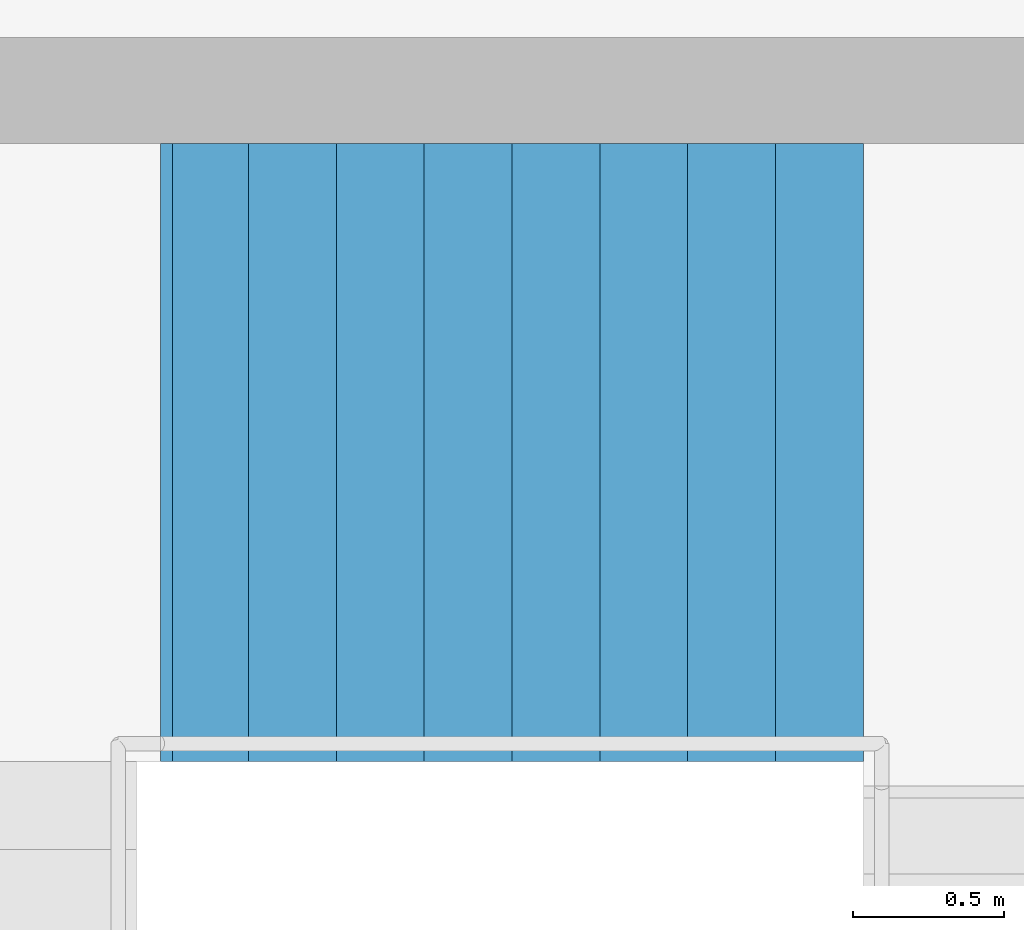
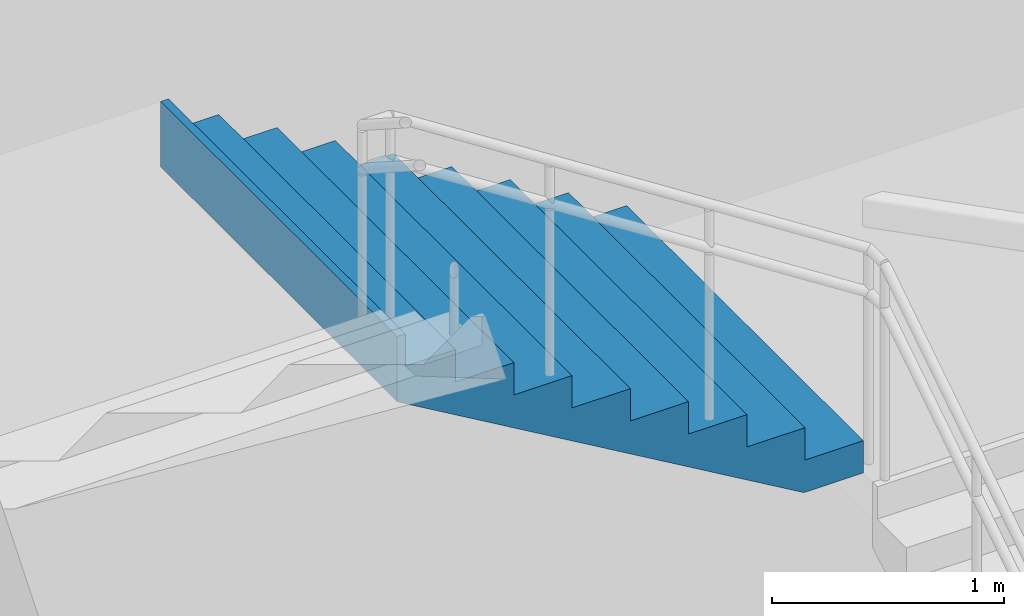
# One storey, part 53 of 58: 1 stair flight, 1 element without a shape of its own.
"""IFC4 building model written with IfcOpenShell, lengths in metres."""

from ifc_helpers import new_model, si_unit, direction, frame, origin, place, context, subcontext, project, spatial, triangles, material, type_object, element, aggregate, save


model = new_model("IFC4")

# Units and contexts
model_context = context("Model", 3, precision=1e-05, world=origin(), true_north=direction((0.0, 1.0)))
body_context = subcontext(model_context, "Body", "Model", "MODEL_VIEW")
ifc_project = project(units=[si_unit("LENGTHUNIT", "METRE"), si_unit("AREAUNIT", "SQUARE_METRE"), si_unit("VOLUMEUNIT", "CUBIC_METRE"), si_unit("PLANEANGLEUNIT", "RADIAN"), si_unit("MASSUNIT", "GRAM", prefix="KILO")], contexts=[model_context])

# Site, building, storey
site_placement = place(None, origin())
site = spatial("IfcSite", under=ifc_project, at=site_placement, CompositionType="ELEMENT")
building_placement = place(site_placement, origin())
building = spatial("IfcBuilding", under=site, at=building_placement, Name="Sillaruma Civic Art Gallery", CompositionType="ELEMENT")
storey_placement = place(building_placement, frame((0.0, 0.0, 22.43994140625)))
storey = spatial("IfcBuildingStorey", under=building, at=storey_placement, Name="L04", CompositionType="ELEMENT", Elevation=22.43994140625)

# Stair, stair flight
ifc_material = material(Name="Concrete H35 (35 MPa)", Category="concrete")
stair_type = type_object("IfcStairType", Name="STR-4F-36", PredefinedType="USERDEFINED", material=ifc_material)
stair_placement = place(storey_placement, origin())
stair = element("IfcStair", 1, at=stair_placement, inside=storey, type_object=stair_type, Name="Protected Exit Stair ST-02 (West Bar North) (L04)", ObjectType="THREE_RETURN_STAIR", PredefinedType="USERDEFINED")
stair_flight_type = type_object("IfcStairFlightType", Name="SFL-STR-9", PredefinedType="STRAIGHT", material=ifc_material)
stair_flight_placement = place(storey_placement, frame((67.199951171875, 86.3701171875, 3.06005859375), z_axis=(0.0, 0.0, 1.0), x_axis=(-1.0, 0.0, 0.0)))
stair_flight = element("IfcStairFlight", 2, at=stair_flight_placement, type_object=stair_flight_type, Name="ST-02 flight 3", NumberOfRisers=9, NumberOfTreads=8, PredefinedType="STRAIGHT", RiserHeight=0.17, TreadLength=0.29, context=body_context, shape_type="Tessellation", body=[
    triangles([(0.0, -1.02001953125, 0.0), (0.29, -1.02001953125, 0.0), (0.296482, -1.02001953125, 0.0), (0.58, -1.02001953125, 0.1662), (0.87, -1.02001953125, 0.3362), (1.16, -1.02001953125, 0.5062), (1.45, -1.02001953125, 0.6762), (1.74, -1.02001953125, 0.8462), (2.03, -1.02001953125, 1.0162), (2.280068, -1.02001953125, 1.162792), (2.320068, -1.02001953125, 1.18624), (2.320068, -1.02001953125, 1.53), (2.280068, -1.02001953125, 1.53), (2.280068, -1.02001953125, 1.36), (2.03, -1.02001953125, 1.36), (2.03, -1.02001953125, 1.19), (1.74, -1.02001953125, 1.19), (1.74, -1.02001953125, 1.02), (1.45, -1.02001953125, 1.02), (1.45, -1.02001953125, 0.85), (1.16, -1.02001953125, 0.85), (1.16, -1.02001953125, 0.68), (0.87, -1.02001953125, 0.68), (0.87, -1.02001953125, 0.51), (0.58, -1.02001953125, 0.51), (0.58, -1.02001953125, 0.34), (0.296482, -1.02001953125, 0.34), (0.29, -1.02001953125, 0.34), (0.29, -1.02001953125, 0.17), (0.0, -1.02001953125, 0.17), (0.0, -0.05, 0.0), (0.29, -0.05, 0.0), (0.296482, -0.05, 0.0), (0.58, -0.05, 0.1662), (0.87, -0.05, 0.3362), (1.16, -0.05, 0.5062), (1.45, -0.05, 0.6762), (1.74, -0.05, 0.8462), (2.03, -0.05, 1.0162), (2.280068, -0.05, 1.162792), (2.320068, -0.05, 1.18624), (2.320068, -0.05, 1.53), (2.280068, -0.05, 1.53), (2.280068, -0.05, 1.36), (2.03, -0.05, 1.36), (2.03, -0.05, 1.19), (1.74, -0.05, 1.19), (1.74, -0.05, 1.02), (1.45, -0.05, 1.02), (1.45, -0.05, 0.85), (1.16, -0.05, 0.85), (1.16, -0.05, 0.68), (0.87, -0.05, 0.68), (0.87, -0.05, 0.51), (0.58, -0.05, 0.51), (0.58, -0.05, 0.34), (0.296482, -0.05, 0.34), (0.29, -0.05, 0.34), (0.29, -0.05, 0.17), (0.0, -0.05, 0.17), (0.0, -0.0375, 0.0), (0.29, -0.0375, 0.0), (0.296482, -0.0375, 0.0), (0.58, -0.0375, 0.1662), (0.87, -0.0375, 0.3362), (1.16, -0.0375, 0.5062), (1.45, -0.0375, 0.6762), (1.74, -0.0375, 0.8462), (2.03, -0.0375, 1.0162), (2.280068, -0.0375, 1.162792), (2.320068, -0.0375, 1.18624), (2.320068, -0.0375, 1.53), (2.280068, -0.0375, 1.53), (2.280068, -0.0375, 1.36), (2.03, -0.0375, 1.36), (2.03, -0.0375, 1.19), (1.74, -0.0375, 1.19), (1.74, -0.0375, 1.02), (1.45, -0.0375, 1.02), (1.45, -0.0375, 0.85), (1.16, -0.0375, 0.85), (1.16, -0.0375, 0.68), (0.87, -0.0375, 0.68), (0.87, -0.0375, 0.51), (0.58, -0.0375, 0.51), (0.58, -0.0375, 0.34), (0.296482, -0.0375, 0.34), (0.29, -0.0375, 0.34), (0.29, -0.0375, 0.17), (0.0, -0.0375, 0.17), (0.0, -0.025, 0.0), (0.29, -0.025, 0.0), (0.296482, -0.025, 0.0), (0.58, -0.025, 0.1662), (0.87, -0.025, 0.3362), (1.16, -0.025, 0.5062), (1.45, -0.025, 0.6762), (1.74, -0.025, 0.8462), (2.03, -0.025, 1.0162), (2.280068, -0.025, 1.162792), (2.320068, -0.025, 1.18624), (2.320068, -0.025, 1.53), (2.280068, -0.025, 1.53), (2.280068, -0.025, 1.36), (2.03, -0.025, 1.36), (2.03, -0.025, 1.19), (1.74, -0.025, 1.19), (1.74, -0.025, 1.02), (1.45, -0.025, 1.02), (1.45, -0.025, 0.85), (1.16, -0.025, 0.85), (1.16, -0.025, 0.68), (0.87, -0.025, 0.68), (0.87, -0.025, 0.51), (0.58, -0.025, 0.51), (0.58, -0.025, 0.34), (0.296482, -0.025, 0.34), (0.29, -0.025, 0.34), (0.29, -0.025, 0.17), (0.0, -0.025, 0.17), (0.0, -0.0125, 0.0), (0.29, -0.0125, 0.0), (0.296482, -0.0125, 0.0), (0.58, -0.0125, 0.1662), (0.87, -0.0125, 0.3362), (1.16, -0.0125, 0.5062), (1.45, -0.0125, 0.6762), (1.74, -0.0125, 0.8462), (2.03, -0.0125, 1.0162), (2.280068, -0.0125, 1.162792), (2.320068, -0.0125, 1.18624), (2.320068, -0.0125, 1.53), (2.280068, -0.0125, 1.53), (2.280068, -0.0125, 1.36), (2.03, -0.0125, 1.36), (2.03, -0.0125, 1.19), (1.74, -0.0125, 1.19), (1.74, -0.0125, 1.02), (1.45, -0.0125, 1.02), (1.45, -0.0125, 0.85), (1.16, -0.0125, 0.85), (1.16, -0.0125, 0.68), (0.87, -0.0125, 0.68), (0.87, -0.0125, 0.51), (0.58, -0.0125, 0.51), (0.58, -0.0125, 0.34), (0.296482, -0.0125, 0.34), (0.29, -0.0125, 0.34), (0.29, -0.0125, 0.17), (0.0, -0.0125, 0.17), (0.0, 0.0, 0.0), (0.29, 0.0, 0.0), (0.296482, 0.0, 0.0), (0.58, 0.0, 0.1662), (0.87, 0.0, 0.3362), (1.16, 0.0, 0.5062), (1.45, 0.0, 0.6762), (1.74, 0.0, 0.8462), (2.03, 0.0, 1.0162), (2.280068, 0.0, 1.162792), (2.320068, 0.0, 1.18624), (2.320068, 0.0, 1.53), (2.280068, 0.0, 1.53), (2.280068, 0.0, 1.36), (2.03, 0.0, 1.36), (2.03, 0.0, 1.19), (1.74, 0.0, 1.19), (1.74, 0.0, 1.02), (1.45, 0.0, 1.02), (1.45, 0.0, 0.85), (1.16, 0.0, 0.85), (1.16, 0.0, 0.68), (0.87, 0.0, 0.68), (0.87, 0.0, 0.51), (0.58, 0.0, 0.51), (0.58, 0.0, 0.34), (0.296482, 0.0, 0.34), (0.29, 0.0, 0.34), (0.29, 0.0, 0.17), (0.0, 0.0, 0.17), (0.0, 0.0125, 0.0), (0.29, 0.0125, 0.0), (0.296482, 0.0125, 0.0), (0.58, 0.0125, 0.1662), (0.87, 0.0125, 0.3362), (1.16, 0.0125, 0.5062), (1.45, 0.0125, 0.6762), (1.74, 0.0125, 0.8462), (2.03, 0.0125, 1.0162), (2.280068, 0.0125, 1.162792), (2.320068, 0.0125, 1.18624), (2.320068, 0.0125, 1.53), (2.280068, 0.0125, 1.53), (2.280068, 0.0125, 1.36), (2.03, 0.0125, 1.36), (2.03, 0.0125, 1.19), (1.74, 0.0125, 1.19), (1.74, 0.0125, 1.02), (1.45, 0.0125, 1.02), (1.45, 0.0125, 0.85), (1.16, 0.0125, 0.85), (1.16, 0.0125, 0.68), (0.87, 0.0125, 0.68), (0.87, 0.0125, 0.51), (0.58, 0.0125, 0.51), (0.58, 0.0125, 0.34), (0.296482, 0.0125, 0.34), (0.29, 0.0125, 0.34), (0.29, 0.0125, 0.17), (0.0, 0.0125, 0.17), (0.0, 0.025, 0.0), (0.29, 0.025, 0.0), (0.296482, 0.025, 0.0), (0.58, 0.025, 0.1662), (0.87, 0.025, 0.3362), (1.16, 0.025, 0.5062), (1.45, 0.025, 0.6762), (1.74, 0.025, 0.8462), (2.03, 0.025, 1.0162), (2.280068, 0.025, 1.162792), (2.320068, 0.025, 1.18624), (2.320068, 0.025, 1.53), (2.280068, 0.025, 1.53), (2.280068, 0.025, 1.36), (2.03, 0.025, 1.36), (2.03, 0.025, 1.19), (1.74, 0.025, 1.19), (1.74, 0.025, 1.02), (1.45, 0.025, 1.02), (1.45, 0.025, 0.85), (1.16, 0.025, 0.85), (1.16, 0.025, 0.68), (0.87, 0.025, 0.68), (0.87, 0.025, 0.51), (0.58, 0.025, 0.51), (0.58, 0.025, 0.34), (0.296482, 0.025, 0.34), (0.29, 0.025, 0.34), (0.29, 0.025, 0.17), (0.0, 0.025, 0.17), (0.0, 0.0375, 0.0), (0.29, 0.0375, 0.0), (0.296482, 0.0375, 0.0), (0.58, 0.0375, 0.1662), (0.87, 0.0375, 0.3362), (1.16, 0.0375, 0.5062), (1.45, 0.0375, 0.6762), (1.74, 0.0375, 0.8462), (2.03, 0.0375, 1.0162), (2.280068, 0.0375, 1.162792), (2.320068, 0.0375, 1.18624), (2.320068, 0.0375, 1.53), (2.280068, 0.0375, 1.53), (2.280068, 0.0375, 1.36), (2.03, 0.0375, 1.36), (2.03, 0.0375, 1.19), (1.74, 0.0375, 1.19), (1.74, 0.0375, 1.02), (1.45, 0.0375, 1.02), (1.45, 0.0375, 0.85), (1.16, 0.0375, 0.85), (1.16, 0.0375, 0.68), (0.87, 0.0375, 0.68), (0.87, 0.0375, 0.51), (0.58, 0.0375, 0.51), (0.58, 0.0375, 0.34), (0.296482, 0.0375, 0.34), (0.29, 0.0375, 0.34), (0.29, 0.0375, 0.17), (0.0, 0.0375, 0.17), (0.0, 0.05, 0.0), (0.29, 0.05, 0.0), (0.296482, 0.05, 0.0), (0.58, 0.05, 0.1662), (0.87, 0.05, 0.3362), (1.16, 0.05, 0.5062), (1.45, 0.05, 0.6762), (1.74, 0.05, 0.8462), (2.03, 0.05, 1.0162), (2.280068, 0.05, 1.162792), (2.320068, 0.05, 1.18624), (2.320068, 0.05, 1.53), (2.280068, 0.05, 1.53), (2.280068, 0.05, 1.36), (2.03, 0.05, 1.36), (2.03, 0.05, 1.19), (1.74, 0.05, 1.19), (1.74, 0.05, 1.02), (1.45, 0.05, 1.02), (1.45, 0.05, 0.85), (1.16, 0.05, 0.85), (1.16, 0.05, 0.68), (0.87, 0.05, 0.68), (0.87, 0.05, 0.51), (0.58, 0.05, 0.51), (0.58, 0.05, 0.34), (0.296482, 0.05, 0.34), (0.29, 0.05, 0.34), (0.29, 0.05, 0.17), (0.0, 0.05, 0.17), (0.0, 1.02001953125, 0.0), (0.29, 1.02001953125, 0.0), (0.296482, 1.02001953125, 0.0), (0.58, 1.02001953125, 0.1662), (0.87, 1.02001953125, 0.3362), (1.16, 1.02001953125, 0.5062), (1.45, 1.02001953125, 0.6762), (1.74, 1.02001953125, 0.8462), (2.03, 1.02001953125, 1.0162), (2.280068, 1.02001953125, 1.162792), (2.320068, 1.02001953125, 1.18624), (2.320068, 1.02001953125, 1.53), (2.280068, 1.02001953125, 1.53), (2.280068, 1.02001953125, 1.36), (2.03, 1.02001953125, 1.36), (2.03, 1.02001953125, 1.19), (1.74, 1.02001953125, 1.19), (1.74, 1.02001953125, 1.02), (1.45, 1.02001953125, 1.02), (1.45, 1.02001953125, 0.85), (1.16, 1.02001953125, 0.85), (1.16, 1.02001953125, 0.68), (0.87, 1.02001953125, 0.68), (0.87, 1.02001953125, 0.51), (0.58, 1.02001953125, 0.51), (0.58, 1.02001953125, 0.34), (0.296482, 1.02001953125, 0.34), (0.29, 1.02001953125, 0.34), (0.29, 1.02001953125, 0.17), (0.0, 1.02001953125, 0.17)], [[1, 2, 29], [1, 29, 30], [2, 3, 27], [2, 27, 29], [29, 27, 28], [3, 4, 26], [3, 26, 27], [4, 5, 24], [4, 24, 26], [26, 24, 25], [5, 6, 22], [5, 22, 24], [24, 22, 23], [6, 7, 20], [6, 20, 22], [22, 20, 21], [7, 8, 18], [7, 18, 20], [20, 18, 19], [8, 9, 16], [8, 16, 18], [18, 16, 17], [9, 10, 14], [9, 14, 16], [16, 14, 15], [10, 11, 12], [10, 12, 14], [14, 12, 13], [329, 302, 301], [330, 329, 301], [327, 303, 302], [329, 327, 302], [328, 327, 329], [326, 304, 303], [327, 326, 303], [324, 305, 304], [326, 324, 304], [325, 324, 326], [322, 306, 305], [324, 322, 305], [323, 322, 324], [320, 307, 306], [322, 320, 306], [321, 320, 322], [318, 308, 307], [320, 318, 307], [319, 318, 320], [316, 309, 308], [318, 316, 308], [317, 316, 318], [314, 310, 309], [316, 314, 309], [315, 314, 316], [312, 311, 310], [314, 312, 310], [313, 312, 314], [2, 1, 31], [2, 31, 32], [3, 2, 32], [3, 32, 33], [4, 3, 33], [4, 33, 34], [5, 4, 34], [5, 34, 35], [6, 5, 35], [6, 35, 36], [7, 6, 36], [7, 36, 37], [8, 7, 37], [8, 37, 38], [9, 8, 38], [9, 38, 39], [10, 9, 39], [10, 39, 40], [11, 10, 40], [11, 40, 41], [12, 11, 41], [12, 41, 42], [13, 12, 42], [13, 42, 43], [14, 13, 43], [14, 43, 44], [15, 14, 44], [15, 44, 45], [16, 15, 45], [16, 45, 46], [17, 16, 46], [17, 46, 47], [18, 17, 47], [18, 47, 48], [19, 18, 48], [19, 48, 49], [20, 19, 49], [20, 49, 50], [21, 20, 50], [21, 50, 51], [22, 21, 51], [22, 51, 52], [23, 22, 52], [23, 52, 53], [24, 23, 53], [24, 53, 54], [25, 24, 54], [25, 54, 55], [26, 25, 55], [26, 55, 56], [27, 26, 56], [27, 56, 57], [28, 27, 57], [28, 57, 58], [29, 28, 58], [29, 58, 59], [30, 29, 59], [30, 59, 60], [1, 30, 60], [1, 60, 31], [32, 31, 61], [32, 61, 62], [33, 32, 62], [33, 62, 63], [34, 33, 63], [34, 63, 64], [35, 34, 64], [35, 64, 65], [36, 35, 65], [36, 65, 66], [37, 36, 66], [37, 66, 67], [38, 37, 67], [38, 67, 68], [39, 38, 68], [39, 68, 69], [40, 39, 69], [40, 69, 70], [41, 40, 70], [41, 70, 71], [42, 41, 71], [42, 71, 72], [43, 42, 72], [43, 72, 73], [44, 43, 73], [44, 73, 74], [45, 44, 74], [45, 74, 75], [46, 45, 75], [46, 75, 76], [47, 46, 76], [47, 76, 77], [48, 47, 77], [48, 77, 78], [49, 48, 78], [49, 78, 79], [50, 49, 79], [50, 79, 80], [51, 50, 80], [51, 80, 81], [52, 51, 81], [52, 81, 82], [53, 52, 82], [53, 82, 83], [54, 53, 83], [54, 83, 84], [55, 54, 84], [55, 84, 85], [56, 55, 85], [56, 85, 86], [57, 56, 86], [57, 86, 87], [58, 57, 87], [58, 87, 88], [59, 58, 88], [59, 88, 89], [60, 59, 89], [60, 89, 90], [31, 60, 90], [31, 90, 61], [62, 61, 91], [62, 91, 92], [63, 62, 92], [63, 92, 93], [64, 63, 93], [64, 93, 94], [65, 64, 94], [65, 94, 95], [66, 65, 95], [66, 95, 96], [67, 66, 96], [67, 96, 97], [68, 67, 97], [68, 97, 98], [69, 68, 98], [69, 98, 99], [70, 69, 99], [70, 99, 100], [71, 70, 100], [71, 100, 101], [72, 71, 101], [72, 101, 102], [73, 72, 102], [73, 102, 103], [74, 73, 103], [74, 103, 104], [75, 74, 104], [75, 104, 105], [76, 75, 105], [76, 105, 106], [77, 76, 106], [77, 106, 107], [78, 77, 107], [78, 107, 108], [79, 78, 108], [79, 108, 109], [80, 79, 109], [80, 109, 110], [81, 80, 110], [81, 110, 111], [82, 81, 111], [82, 111, 112], [83, 82, 112], [83, 112, 113], [84, 83, 113], [84, 113, 114], [85, 84, 114], [85, 114, 115], [86, 85, 115], [86, 115, 116], [87, 86, 116], [87, 116, 117], [88, 87, 117], [88, 117, 118], [89, 88, 118], [89, 118, 119], [90, 89, 119], [90, 119, 120], [61, 90, 120], [61, 120, 91], [92, 91, 121], [92, 121, 122], [93, 92, 122], [93, 122, 123], [94, 93, 123], [94, 123, 124], [95, 94, 124], [95, 124, 125], [96, 95, 125], [96, 125, 126], [97, 96, 126], [97, 126, 127], [98, 97, 127], [98, 127, 128], [99, 98, 128], [99, 128, 129], [100, 99, 129], [100, 129, 130], [101, 100, 130], [101, 130, 131], [102, 101, 131], [102, 131, 132], [103, 102, 132], [103, 132, 133], [104, 103, 133], [104, 133, 134], [105, 104, 134], [105, 134, 135], [106, 105, 135], [106, 135, 136], [107, 106, 136], [107, 136, 137], [108, 107, 137], [108, 137, 138], [109, 108, 138], [109, 138, 139], [110, 109, 139], [110, 139, 140], [111, 110, 140], [111, 140, 141], [112, 111, 141], [112, 141, 142], [113, 112, 142], [113, 142, 143], [114, 113, 143], [114, 143, 144], [115, 114, 144], [115, 144, 145], [116, 115, 145], [116, 145, 146], [117, 116, 146], [117, 146, 147], [118, 117, 147], [118, 147, 148], [119, 118, 148], [119, 148, 149], [120, 119, 149], [120, 149, 150], [91, 120, 150], [91, 150, 121], [122, 121, 151], [122, 151, 152], [123, 122, 152], [123, 152, 153], [124, 123, 153], [124, 153, 154], [125, 124, 154], [125, 154, 155], [126, 125, 155], [126, 155, 156], [127, 126, 156], [127, 156, 157], [128, 127, 157], [128, 157, 158], [129, 128, 158], [129, 158, 159], [130, 129, 159], [130, 159, 160], [131, 130, 160], [131, 160, 161], [132, 131, 161], [132, 161, 162], [133, 132, 162], [133, 162, 163], [134, 133, 163], [134, 163, 164], [135, 134, 164], [135, 164, 165], [136, 135, 165], [136, 165, 166], [137, 136, 166], [137, 166, 167], [138, 137, 167], [138, 167, 168], [139, 138, 168], [139, 168, 169], [140, 139, 169], [140, 169, 170], [141, 140, 170], [141, 170, 171], [142, 141, 171], [142, 171, 172], [143, 142, 172], [143, 172, 173], [144, 143, 173], [144, 173, 174], [145, 144, 174], [145, 174, 175], [146, 145, 175], [146, 175, 176], [147, 146, 176], [147, 176, 177], [148, 147, 177], [148, 177, 178], [149, 148, 178], [149, 178, 179], [150, 149, 179], [150, 179, 180], [121, 150, 180], [121, 180, 151], [152, 151, 181], [152, 181, 182], [153, 152, 182], [153, 182, 183], [154, 153, 183], [154, 183, 184], [155, 154, 184], [155, 184, 185], [156, 155, 185], [156, 185, 186], [157, 156, 186], [157, 186, 187], [158, 157, 187], [158, 187, 188], [159, 158, 188], [159, 188, 189], [160, 159, 189], [160, 189, 190], [161, 160, 190], [161, 190, 191], [162, 161, 191], [162, 191, 192], [163, 162, 192], [163, 192, 193], [164, 163, 193], [164, 193, 194], [165, 164, 194], [165, 194, 195], [166, 165, 195], [166, 195, 196], [167, 166, 196], [167, 196, 197], [168, 167, 197], [168, 197, 198], [169, 168, 198], [169, 198, 199], [170, 169, 199], [170, 199, 200], [171, 170, 200], [171, 200, 201], [172, 171, 201], [172, 201, 202], [173, 172, 202], [173, 202, 203], [174, 173, 203], [174, 203, 204], [175, 174, 204], [175, 204, 205], [176, 175, 205], [176, 205, 206], [177, 176, 206], [177, 206, 207], [178, 177, 207], [178, 207, 208], [179, 178, 208], [179, 208, 209], [180, 179, 209], [180, 209, 210], [151, 180, 210], [151, 210, 181], [182, 181, 211], [182, 211, 212], [183, 182, 212], [183, 212, 213], [184, 183, 213], [184, 213, 214], [185, 184, 214], [185, 214, 215], [186, 185, 215], [186, 215, 216], [187, 186, 216], [187, 216, 217], [188, 187, 217], [188, 217, 218], [189, 188, 218], [189, 218, 219], [190, 189, 219], [190, 219, 220], [191, 190, 220], [191, 220, 221], [192, 191, 221], [192, 221, 222], [193, 192, 222], [193, 222, 223], [194, 193, 223], [194, 223, 224], [195, 194, 224], [195, 224, 225], [196, 195, 225], [196, 225, 226], [197, 196, 226], [197, 226, 227], [198, 197, 227], [198, 227, 228], [199, 198, 228], [199, 228, 229], [200, 199, 229], [200, 229, 230], [201, 200, 230], [201, 230, 231], [202, 201, 231], [202, 231, 232], [203, 202, 232], [203, 232, 233], [204, 203, 233], [204, 233, 234], [205, 204, 234], [205, 234, 235], [206, 205, 235], [206, 235, 236], [207, 206, 236], [207, 236, 237], [208, 207, 237], [208, 237, 238], [209, 208, 238], [209, 238, 239], [210, 209, 239], [210, 239, 240], [181, 210, 240], [181, 240, 211], [212, 211, 241], [212, 241, 242], [213, 212, 242], [213, 242, 243], [214, 213, 243], [214, 243, 244], [215, 214, 244], [215, 244, 245], [216, 215, 245], [216, 245, 246], [217, 216, 246], [217, 246, 247], [218, 217, 247], [218, 247, 248], [219, 218, 248], [219, 248, 249], [220, 219, 249], [220, 249, 250], [221, 220, 250], [221, 250, 251], [222, 221, 251], [222, 251, 252], [223, 222, 252], [223, 252, 253], [224, 223, 253], [224, 253, 254], [225, 224, 254], [225, 254, 255], [226, 225, 255], [226, 255, 256], [227, 226, 256], [227, 256, 257], [228, 227, 257], [228, 257, 258], [229, 228, 258], [229, 258, 259], [230, 229, 259], [230, 259, 260], [231, 230, 260], [231, 260, 261], [232, 231, 261], [232, 261, 262], [233, 232, 262], [233, 262, 263], [234, 233, 263], [234, 263, 264], [235, 234, 264], [235, 264, 265], [236, 235, 265], [236, 265, 266], [237, 236, 266], [237, 266, 267], [238, 237, 267], [238, 267, 268], [239, 238, 268], [239, 268, 269], [240, 239, 269], [240, 269, 270], [211, 240, 270], [211, 270, 241], [242, 241, 271], [242, 271, 272], [243, 242, 272], [243, 272, 273], [244, 243, 273], [244, 273, 274], [245, 244, 274], [245, 274, 275], [246, 245, 275], [246, 275, 276], [247, 246, 276], [247, 276, 277], [248, 247, 277], [248, 277, 278], [249, 248, 278], [249, 278, 279], [250, 249, 279], [250, 279, 280], [251, 250, 280], [251, 280, 281], [252, 251, 281], [252, 281, 282], [253, 252, 282], [253, 282, 283], [254, 253, 283], [254, 283, 284], [255, 254, 284], [255, 284, 285], [256, 255, 285], [256, 285, 286], [257, 256, 286], [257, 286, 287], [258, 257, 287], [258, 287, 288], [259, 258, 288], [259, 288, 289], [260, 259, 289], [260, 289, 290], [261, 260, 290], [261, 290, 291], [262, 261, 291], [262, 291, 292], [263, 262, 292], [263, 292, 293], [264, 263, 293], [264, 293, 294], [265, 264, 294], [265, 294, 295], [266, 265, 295], [266, 295, 296], [267, 266, 296], [267, 296, 297], [268, 267, 297], [268, 297, 298], [269, 268, 298], [269, 298, 299], [270, 269, 299], [270, 299, 300], [241, 270, 300], [241, 300, 271], [272, 271, 301], [272, 301, 302], [273, 272, 302], [273, 302, 303], [274, 273, 303], [274, 303, 304], [275, 274, 304], [275, 304, 305], [276, 275, 305], [276, 305, 306], [277, 276, 306], [277, 306, 307], [278, 277, 307], [278, 307, 308], [279, 278, 308], [279, 308, 309], [280, 279, 309], [280, 309, 310], [281, 280, 310], [281, 310, 311], [282, 281, 311], [282, 311, 312], [283, 282, 312], [283, 312, 313], [284, 283, 313], [284, 313, 314], [285, 284, 314], [285, 314, 315], [286, 285, 315], [286, 315, 316], [287, 286, 316], [287, 316, 317], [288, 287, 317], [288, 317, 318], [289, 288, 318], [289, 318, 319], [290, 289, 319], [290, 319, 320], [291, 290, 320], [291, 320, 321], [292, 291, 321], [292, 321, 322], [293, 292, 322], [293, 322, 323], [294, 293, 323], [294, 323, 324], [295, 294, 324], [295, 324, 325], [296, 295, 325], [296, 325, 326], [297, 296, 326], [297, 326, 327], [298, 297, 327], [298, 327, 328], [299, 298, 328], [299, 328, 329], [300, 299, 329], [300, 329, 330], [271, 300, 330], [271, 330, 301]], closed=True),
])
aggregate(stair, [stair_flight])

save(model, "model.ifc")
